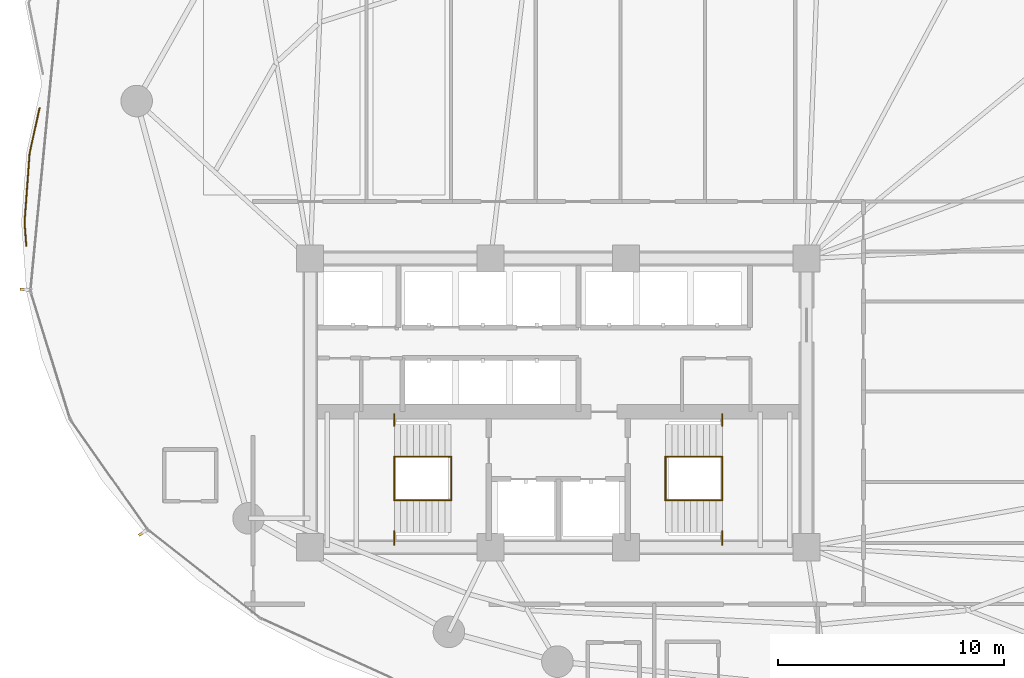
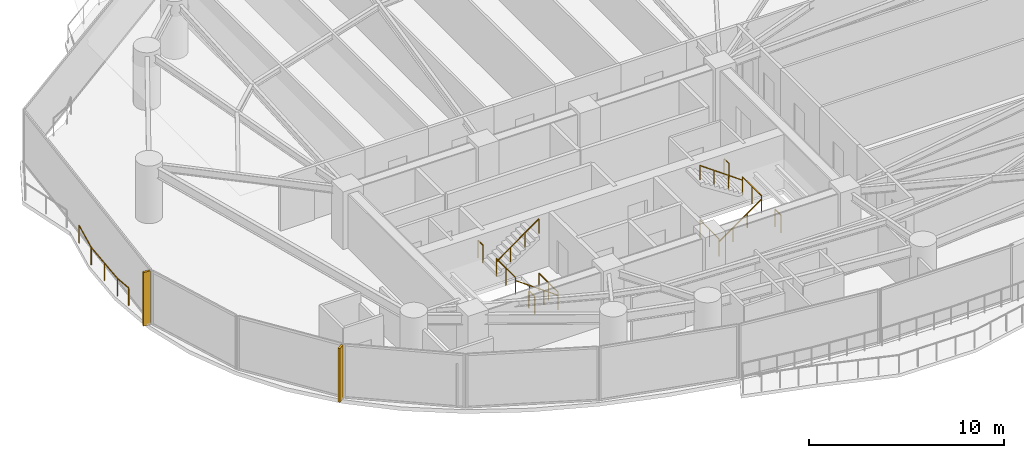
# One storey, part 30 of 32: 13 railings, 2 shading devices.
"""IFC4 building model written with IfcOpenShell, lengths in metres."""

from ifc_helpers import new_model, si_unit, direction, frame, origin, origin_2d, place, context, subcontext, project, spatial, rectangle, extrude, material, type_object, element, save


model = new_model("IFC4")

# Units and contexts
model_context = context("Model", 3, precision=1e-05, world=origin(), true_north=direction((0.0, 1.0)))
body_context = subcontext(model_context, "Body", "Model", "MODEL_VIEW")
ifc_project = project(units=[si_unit("LENGTHUNIT", "METRE"), si_unit("AREAUNIT", "SQUARE_METRE"), si_unit("VOLUMEUNIT", "CUBIC_METRE"), si_unit("PLANEANGLEUNIT", "RADIAN"), si_unit("MASSUNIT", "GRAM", prefix="KILO")], contexts=[model_context])

# Site, building, storey
site_placement = place(None, origin())
site = spatial("IfcSite", under=ifc_project, at=site_placement, CompositionType="ELEMENT")
building_placement = place(site_placement, origin())
building = spatial("IfcBuilding", under=site, at=building_placement, Name="Kazevale Care Tower and Concert Hall", CompositionType="ELEMENT")
storey_placement = place(building_placement, frame((0.0, 0.0, 38.39990234375)))
storey = spatial("IfcBuildingStorey", under=building, at=storey_placement, Name="L09", CompositionType="ELEMENT", Elevation=38.39990234375)

# Railings
ifc_material_1 = material(Name="Anodised Bronze Aluminium and Laminated Glass", Category="aluminium")
railing_type_1 = type_object("IfcRailingType", Name="Balcony and Terrace Balustrade 1120", PredefinedType="BALUSTRADE", material=ifc_material_1)
railing_1_placement = place(storey_placement, frame((9.416015625, 36.968017578125, 0.0)))
element("IfcRailing", 1, at=railing_1_placement, inside=storey, type_object=railing_type_1, Name="rail:L09:perim:1", PredefinedType="BALUSTRADE", context=body_context, shape_type="SweptSolid", body=[
    extrude(rectangle(XDim=0.048095703125, YDim=0.048095703125, at=origin_2d()), frame((0.0, 0.0, 1.09619140625), z_axis=(-0.073376305948, 0.997304325532, 0.0), x_axis=(-0.997304325532, -0.073376305948, 0.0)), (0.0, 0.0, 1.0), 1.03466796875),
    extrude(rectangle(XDim=0.048095703125, YDim=0.048095703125, at=origin_2d()), frame((-0.075927734375, 1.031982421875, 1.09619140625), z_axis=(0.072729345696, 0.997351714429, 0.0), x_axis=(-0.997351714429, 0.072729345696, 0.0)), (0.0, 0.0, 1.0), 3.078125),
    extrude(rectangle(XDim=0.048095703125, YDim=0.048095703125, at=origin_2d()), frame((0.14794921875, 4.10205078125, 1.09619140625), z_axis=(0.215389585979, 0.976528200439, 0.0), x_axis=(-0.976528200439, 0.215389585979, 0.0)), (0.0, 0.0, 1.0), 2.047119140625),
    extrude(rectangle(XDim=0.0419921875, YDim=0.0419921875, at=origin_2d()), origin(), (0.0, 0.0, 1.0), 1.072021484375),
    extrude(rectangle(XDim=0.0419921875, YDim=0.0419921875, at=origin_2d()), frame((-0.075927734375, 1.031982421875, 0.0)), (0.0, 0.0, 1.0), 1.072021484375),
    extrude(rectangle(XDim=0.0419921875, YDim=0.0419921875, at=origin_2d()), frame((0.0361328125, 2.56689453125, 0.0)), (0.0, 0.0, 1.0), 1.072021484375),
    extrude(rectangle(XDim=0.0419921875, YDim=0.0419921875, at=origin_2d()), frame((0.14794921875, 4.10205078125, 0.0)), (0.0, 0.0, 1.0), 1.072021484375),
    extrude(rectangle(XDim=0.0419921875, YDim=0.0419921875, at=origin_2d()), frame((0.5888671875, 6.10107421875, 0.0)), (0.0, 0.0, 1.0), 1.072021484375),
])
ifc_material_2 = material(Name="Stainless Steel 316", Category="steel")
railing_type_2 = type_object("IfcRailingType", Name="Stair Pitch Handrail 920", PredefinedType="HANDRAIL", material=ifc_material_2)
railing_2_placement = place(storey_placement, frame((28.25, 25.679931640625, 0.0)))
element("IfcRailing", 2, at=railing_2_placement, inside=storey, type_object=railing_type_2, Name="stair:L09:ST1:hr1", PredefinedType="HANDRAIL", context=body_context, shape_type="SweptSolid", body=[
    extrude(rectangle(XDim=0.048095703125, YDim=0.048095703125, at=origin_2d()), frame((0.0, 0.0, 0.89599609375), z_axis=(-0.813728144527, 0.0, 0.581245650998), x_axis=(0.0, -1.0, 0.0)), (0.0, 0.0, 1.0), 3.096923828125),
    extrude(rectangle(XDim=0.0419921875, YDim=0.0419921875, at=origin_2d()), origin(), (0.0, 0.0, 1.0), 0.871826171875),
    extrude(rectangle(XDim=0.0419921875, YDim=0.0419921875, at=origin_2d()), frame((-0.840087890625, 0.0, 0.60009765625)), (0.0, 0.0, 1.0), 0.871826171875),
    extrude(rectangle(XDim=0.0419921875, YDim=0.0419921875, at=origin_2d()), frame((-1.679931640625, 0.0, 1.199951171875)), (0.0, 0.0, 1.0), 0.871826171875),
    extrude(rectangle(XDim=0.0419921875, YDim=0.0419921875, at=origin_2d()), frame((-2.52001953125, 0.0, 1.800048828125)), (0.0, 0.0, 1.0), 0.871826171875),
])
for number, where, name in (
    (3, (25.72998046875, 27.6201171875, 1.800048828125), "stair:L09:ST1:hr2"),
    (4, (37.75, 25.679931640625, 0.0), "stair:L09:ST2:hr1"),
):
    element("IfcRailing", number, at=place(storey_placement, frame(where)), inside=storey, type_object=railing_type_2, Name=name, PredefinedType="HANDRAIL", context=body_context, shape_type="SweptSolid", body=[
        extrude(rectangle(XDim=0.048095703125, YDim=0.048095703125, at=origin_2d()), frame((0.0, 0.0, 0.89599609375), z_axis=(0.813728144527, 0.0, 0.581245650998), x_axis=(0.0, 1.0, 0.0)), (0.0, 0.0, 1.0), 3.096923828125),
        extrude(rectangle(XDim=0.0419921875, YDim=0.0419921875, at=origin_2d()), origin(), (0.0, 0.0, 1.0), 0.871826171875),
        extrude(rectangle(XDim=0.0419921875, YDim=0.0419921875, at=origin_2d()), frame((0.840087890625, 0.0, 0.60009765625)), (0.0, 0.0, 1.0), 0.871826171875),
        extrude(rectangle(XDim=0.0419921875, YDim=0.0419921875, at=origin_2d()), frame((1.679931640625, 0.0, 1.199951171875)), (0.0, 0.0, 1.0), 0.871826171875),
        extrude(rectangle(XDim=0.0419921875, YDim=0.0419921875, at=origin_2d()), frame((2.52001953125, 0.0, 1.800048828125)), (0.0, 0.0, 1.0), 0.871826171875),
    ])
railing_3_placement = place(storey_placement, frame((40.27001953125, 27.6201171875, 1.800048828125)))
element("IfcRailing", 5, at=railing_3_placement, inside=storey, type_object=railing_type_2, Name="stair:L09:ST2:hr2", PredefinedType="HANDRAIL", context=body_context, shape_type="SweptSolid", body=[
    extrude(rectangle(XDim=0.048095703125, YDim=0.048095703125, at=origin_2d()), frame((0.0, 0.0, 0.89599609375), z_axis=(-0.813728144527, 0.0, 0.581245650998), x_axis=(0.0, -1.0, 0.0)), (0.0, 0.0, 1.0), 3.096923828125),
    extrude(rectangle(XDim=0.0419921875, YDim=0.0419921875, at=origin_2d()), origin(), (0.0, 0.0, 1.0), 0.871826171875),
    extrude(rectangle(XDim=0.0419921875, YDim=0.0419921875, at=origin_2d()), frame((-0.840087890625, 0.0, 0.60009765625)), (0.0, 0.0, 1.0), 0.871826171875),
    extrude(rectangle(XDim=0.0419921875, YDim=0.0419921875, at=origin_2d()), frame((-1.679931640625, 0.0, 1.199951171875)), (0.0, 0.0, 1.0), 0.871826171875),
    extrude(rectangle(XDim=0.0419921875, YDim=0.0419921875, at=origin_2d()), frame((-2.52001953125, 0.0, 1.800048828125)), (0.0, 0.0, 1.0), 0.871826171875),
])
railing_type_3 = type_object("IfcRailingType", Name="Stair Well Guard Balustrade 1120", PredefinedType="BALUSTRADE", material=ifc_material_2)
railing_4_placement = place(storey_placement, frame((25.72998046875, 23.699951171875, 1.800048828125)))
element("IfcRailing", 6, at=railing_4_placement, inside=storey, type_object=railing_type_3, Name="stair:L09:ST1:grd_side1", PredefinedType="BALUSTRADE", context=body_context, shape_type="SweptSolid", body=[
    extrude(rectangle(XDim=0.048095703125, YDim=0.048095703125, at=origin_2d()), frame((0.0, 0.0, 1.09619140625), z_axis=(0.0, 1.0, 0.0), x_axis=(-1.0, 0.0, 0.0)), (0.0, 0.0, 1.0), 0.610107421875),
    extrude(rectangle(XDim=0.0419921875, YDim=0.0419921875, at=origin_2d()), origin(), (0.0, 0.0, 1.0), 1.072021484375),
    extrude(rectangle(XDim=0.0419921875, YDim=0.0419921875, at=origin_2d()), frame((0.0, 0.610107421875, 0.0)), (0.0, 0.0, 1.0), 1.072021484375),
])
railing_5_placement = place(storey_placement, frame((25.72998046875, 28.989990234375, 1.800048828125)))
element("IfcRailing", 7, at=railing_5_placement, inside=storey, type_object=railing_type_3, Name="stair:L09:ST1:grd_side2", PredefinedType="BALUSTRADE", context=body_context, shape_type="SweptSolid", body=[
    extrude(rectangle(XDim=0.048095703125, YDim=0.048095703125, at=origin_2d()), frame((0.0, 0.0, 1.09619140625), z_axis=(0.0, 1.0, 0.0), x_axis=(-1.0, 0.0, 0.0)), (0.0, 0.0, 1.0), 0.510009765625),
    extrude(rectangle(XDim=0.0419921875, YDim=0.0419921875, at=origin_2d()), origin(), (0.0, 0.0, 1.0), 1.072021484375),
    extrude(rectangle(XDim=0.0419921875, YDim=0.0419921875, at=origin_2d()), frame((0.0, 0.510009765625, 0.0)), (0.0, 0.0, 1.0), 1.072021484375),
])
for number, where, name in (
    (8, (25.72998046875, 25.679931640625, 1.800048828125), "stair:L09:ST1:grd_mid"),
    (9, (28.25, 25.679931640625, 0.0), "stair:L09:ST1:grd_flr"),
):
    element("IfcRailing", number, at=place(storey_placement, frame(where)), inside=storey, type_object=railing_type_3, Name=name, PredefinedType="BALUSTRADE", context=body_context, shape_type="SweptSolid", body=[
        extrude(rectangle(XDim=0.048095703125, YDim=0.048095703125, at=origin_2d()), frame((0.0, 0.0, 1.09619140625), z_axis=(0.0, 1.0, 0.0), x_axis=(-1.0, 0.0, 0.0)), (0.0, 0.0, 1.0), 1.940185546875),
        extrude(rectangle(XDim=0.0419921875, YDim=0.0419921875, at=origin_2d()), origin(), (0.0, 0.0, 1.0), 1.072021484375),
        extrude(rectangle(XDim=0.0419921875, YDim=0.0419921875, at=origin_2d()), frame((0.0, 0.97021484375, 0.0)), (0.0, 0.0, 1.0), 1.072021484375),
        extrude(rectangle(XDim=0.0419921875, YDim=0.0419921875, at=origin_2d()), frame((0.0, 1.940185546875, 0.0)), (0.0, 0.0, 1.0), 1.072021484375),
    ])
railing_6_placement = place(storey_placement, frame((40.27001953125, 23.699951171875, 1.800048828125)))
element("IfcRailing", 10, at=railing_6_placement, inside=storey, type_object=railing_type_3, Name="stair:L09:ST2:grd_side1", PredefinedType="BALUSTRADE", context=body_context, shape_type="SweptSolid", body=[
    extrude(rectangle(XDim=0.048095703125, YDim=0.048095703125, at=origin_2d()), frame((0.0, 0.0, 1.09619140625), z_axis=(0.0, 1.0, 0.0), x_axis=(-1.0, 0.0, 0.0)), (0.0, 0.0, 1.0), 0.610107421875),
    extrude(rectangle(XDim=0.0419921875, YDim=0.0419921875, at=origin_2d()), origin(), (0.0, 0.0, 1.0), 1.072021484375),
    extrude(rectangle(XDim=0.0419921875, YDim=0.0419921875, at=origin_2d()), frame((0.0, 0.610107421875, 0.0)), (0.0, 0.0, 1.0), 1.072021484375),
])
railing_7_placement = place(storey_placement, frame((40.27001953125, 28.989990234375, 1.800048828125)))
element("IfcRailing", 11, at=railing_7_placement, inside=storey, type_object=railing_type_3, Name="stair:L09:ST2:grd_side2", PredefinedType="BALUSTRADE", context=body_context, shape_type="SweptSolid", body=[
    extrude(rectangle(XDim=0.048095703125, YDim=0.048095703125, at=origin_2d()), frame((0.0, 0.0, 1.09619140625), z_axis=(0.0, 1.0, 0.0), x_axis=(-1.0, 0.0, 0.0)), (0.0, 0.0, 1.0), 0.510009765625),
    extrude(rectangle(XDim=0.0419921875, YDim=0.0419921875, at=origin_2d()), origin(), (0.0, 0.0, 1.0), 1.072021484375),
    extrude(rectangle(XDim=0.0419921875, YDim=0.0419921875, at=origin_2d()), frame((0.0, 0.510009765625, 0.0)), (0.0, 0.0, 1.0), 1.072021484375),
])
for number, where, name in (
    (12, (40.27001953125, 25.679931640625, 1.800048828125), "stair:L09:ST2:grd_mid"),
    (13, (37.75, 25.679931640625, 0.0), "stair:L09:ST2:grd_flr"),
):
    element("IfcRailing", number, at=place(storey_placement, frame(where)), inside=storey, type_object=railing_type_3, Name=name, PredefinedType="BALUSTRADE", context=body_context, shape_type="SweptSolid", body=[
        extrude(rectangle(XDim=0.048095703125, YDim=0.048095703125, at=origin_2d()), frame((0.0, 0.0, 1.09619140625), z_axis=(0.0, 1.0, 0.0), x_axis=(-1.0, 0.0, 0.0)), (0.0, 0.0, 1.0), 1.940185546875),
        extrude(rectangle(XDim=0.0419921875, YDim=0.0419921875, at=origin_2d()), origin(), (0.0, 0.0, 1.0), 1.072021484375),
        extrude(rectangle(XDim=0.0419921875, YDim=0.0419921875, at=origin_2d()), frame((0.0, 0.97021484375, 0.0)), (0.0, 0.0, 1.0), 1.072021484375),
        extrude(rectangle(XDim=0.0419921875, YDim=0.0419921875, at=origin_2d()), frame((0.0, 1.940185546875, 0.0)), (0.0, 0.0, 1.0), 1.072021484375),
    ])

# Shading devices
ifc_material_3 = material(Name="Honed Ochre Limestone", Category="masonry")
shading_device_type = type_object("IfcShadingDeviceType", Name="Vertical Honed Limestone Fin FIN-01", PredefinedType="USERDEFINED", material=ifc_material_3)
for number, where, z_axis, x_axis, name in (
    (14, (14.5693359375, 24.23779296875, 0.0), (0.0, 0.0, 1.0), (-0.817547124842, -0.575861700985, 0.0), "cw:L09:f11:fin"),
    (15, (9.3330078125, 35.0244140625, 0.0), (0.0, 0.0, 1.0), (-0.995379454967, 0.09601948047, 0.0), "cw:L09:f13:fin"),
):
    element("IfcShadingDevice", number, at=place(storey_placement, frame(where, z_axis=z_axis, x_axis=x_axis)), inside=storey, type_object=shading_device_type, Name=name, ObjectType="FIN", PredefinedType="USERDEFINED", context=body_context, shape_type="SweptSolid", body=[
        extrude(rectangle(XDim=0.3798828125, YDim=0.1201171875, at=origin_2d()), origin(), (0.0, 0.0, 1.0), 3.360107421875),
    ])

save(model, "model.ifc")
